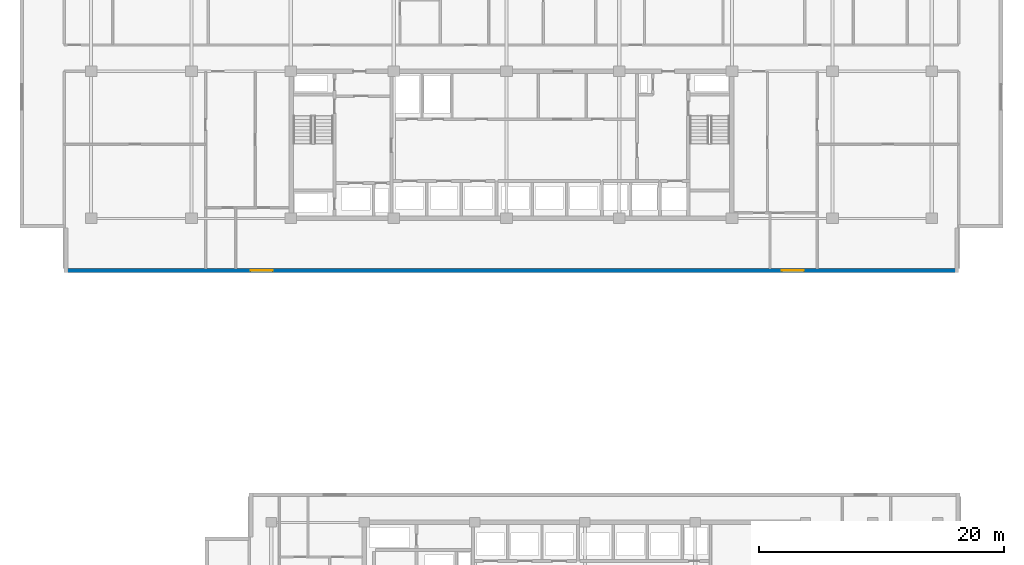
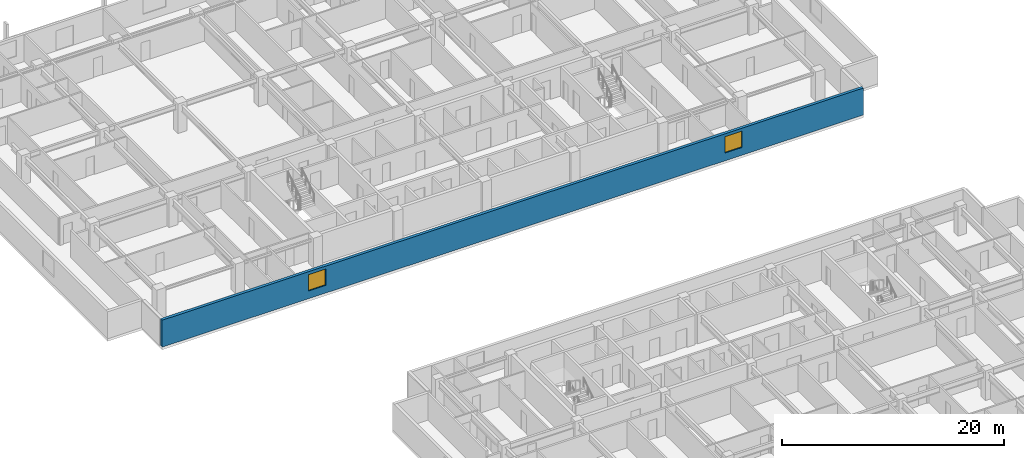
# One storey, part 9 of 22: 2 windows, 1 wall, 2 openings.
"""IFC4 building model written with IfcOpenShell, lengths in metres."""

from ifc_helpers import new_model, si_unit, direction, frame, frame_2d, origin, place, context, subcontext, project, spatial, rectangle, extrude, material, layer, layer_set, type_object, element, fill, save


model = new_model("IFC4")

# Units and contexts
model_context = context("Model", 3, precision=1e-05, world=origin(), true_north=direction((0.0, 1.0)))
body_context = subcontext(model_context, "Body", "Model", "MODEL_VIEW")
ifc_project = project(units=[si_unit("LENGTHUNIT", "METRE"), si_unit("AREAUNIT", "SQUARE_METRE"), si_unit("VOLUMEUNIT", "CUBIC_METRE"), si_unit("PLANEANGLEUNIT", "RADIAN"), si_unit("MASSUNIT", "GRAM", prefix="KILO")], contexts=[model_context])

# Site, building, storey
site_placement = place(None, origin())
site = spatial("IfcSite", under=ifc_project, at=site_placement, CompositionType="ELEMENT")
building_placement = place(site_placement, origin())
building = spatial("IfcBuilding", under=site, at=building_placement, Name="Korimba Cascade Residences", CompositionType="ELEMENT")
storey_placement = place(building_placement, frame((0.0, 0.0, 87.300048828125)))
storey = spatial("IfcBuildingStorey", under=building, at=storey_placement, Name="L24", CompositionType="ELEMENT", Elevation=87.300048828125)

# Wall, openings, windows
ifc_material_1 = material(Name="Precast concrete C40/50", Category="concrete")
ifc_layer = layer(ifc_material_1, 0.300048828125)
ifc_layer_set = layer_set([ifc_layer], Name="Precast concrete C40/50")
wall_type = type_object("IfcWallType", Name="EW-STONE-300", PredefinedType="STANDARD", material=ifc_layer_set)
wall_placement = place(storey_placement, frame((57.60009765625, 50.949951171875, 0.0), z_axis=(0.0, 0.0, 1.0), x_axis=(1.0, 0.0, 0.0)))
wall = element("IfcWall", 1, at=wall_placement, inside=storey, type_object=wall_type, Name="L24 T1 Perimeter Stone Wall E00", PredefinedType="STANDARD", context=body_context, shape_type="SweptSolid", body=[
    extrude(rectangle(XDim=73.0, YDim=0.300048828125, at=frame_2d((36.5, 0.0))), origin(), (0.0, 0.0, 1.0), 2.969970703125),
])
opening_1_placement = place(wall_placement, frame((15.22509765625, 0.0, 0.85009765625)))
opening_1 = element("IfcOpeningElement", 2, at=opening_1_placement, cuts=wall, Name="Opening W-02", PredefinedType="OPENING", context=body_context, shape_type="SweptSolid", body=[
    extrude(rectangle(XDim=1.800048828125, YDim=1.800048828125, at=frame_2d((0.89990234375, 0.89990234375))), frame((0.0, 0.16015625, 0.0), z_axis=(0.0, -1.0, 0.0), x_axis=(1.0, 0.0, 0.0)), (0.0, 0.0, 1.0), 0.320068359375),
])
opening_2_placement = place(wall_placement, frame((58.574951171875, 0.0, 0.85009765625)))
opening_2 = element("IfcOpeningElement", 3, at=opening_2_placement, cuts=wall, Name="Opening W-02", PredefinedType="OPENING", context=body_context, shape_type="SweptSolid", body=[
    extrude(rectangle(XDim=1.800048828125, YDim=1.800048828125, at=frame_2d((0.89990234375, 0.89990234375))), frame((0.0, 0.16015625, 0.0), z_axis=(0.0, -1.0, 0.0), x_axis=(1.0, 0.0, 0.0)), (0.0, 0.0, 1.0), 0.320068359375),
])
ifc_material_2 = material(Name="Double-Glazed Aluminium Window", Category="aluminium")
window_type = type_object("IfcWindowType", Name="WIN-BED-1800", PartitioningType="SINGLE_PANEL", PredefinedType="WINDOW", material=ifc_material_2)
window_1_placement = place(opening_1_placement, origin())
window_1 = element("IfcWindow", 4, at=window_1_placement, inside=storey, type_object=window_type, Name="L24 T1 South Corner Bedroom Window 1", OverallHeight=1.800048828125, OverallWidth=1.800048828125, PartitioningType="SINGLE_PANEL", PredefinedType="WINDOW", context=body_context, shape_type="SweptSolid", body=[
    extrude(rectangle(XDim=1.800048828125, YDim=1.800048828125, at=frame_2d((0.89990234375, 0.89990234375))), frame((0.0, 0.030029296875, 0.0), z_axis=(0.0, -1.0, 0.0), x_axis=(1.0, 0.0, 0.0)), (0.0, 0.0, 1.0), 0.06005859375),
])
fill(opening_1, window_1)
window_2_placement = place(opening_2_placement, origin())
window_2 = element("IfcWindow", 5, at=window_2_placement, inside=storey, type_object=window_type, Name="L24 T1 South Corner Bedroom Window 2", OverallHeight=1.800048828125, OverallWidth=1.800048828125, PartitioningType="SINGLE_PANEL", PredefinedType="WINDOW", context=body_context, shape_type="SweptSolid", body=[
    extrude(rectangle(XDim=1.800048828125, YDim=1.800048828125, at=frame_2d((0.89990234375, 0.89990234375))), frame((0.0, 0.030029296875, 0.0), z_axis=(0.0, -1.0, 0.0), x_axis=(1.0, 0.0, 0.0)), (0.0, 0.0, 1.0), 0.06005859375),
])
fill(opening_2, window_2)

save(model, "model.ifc")
